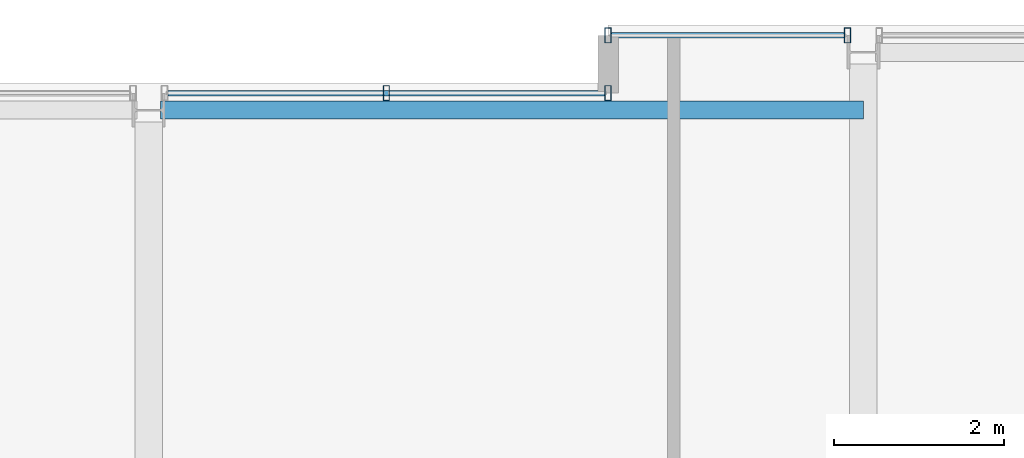
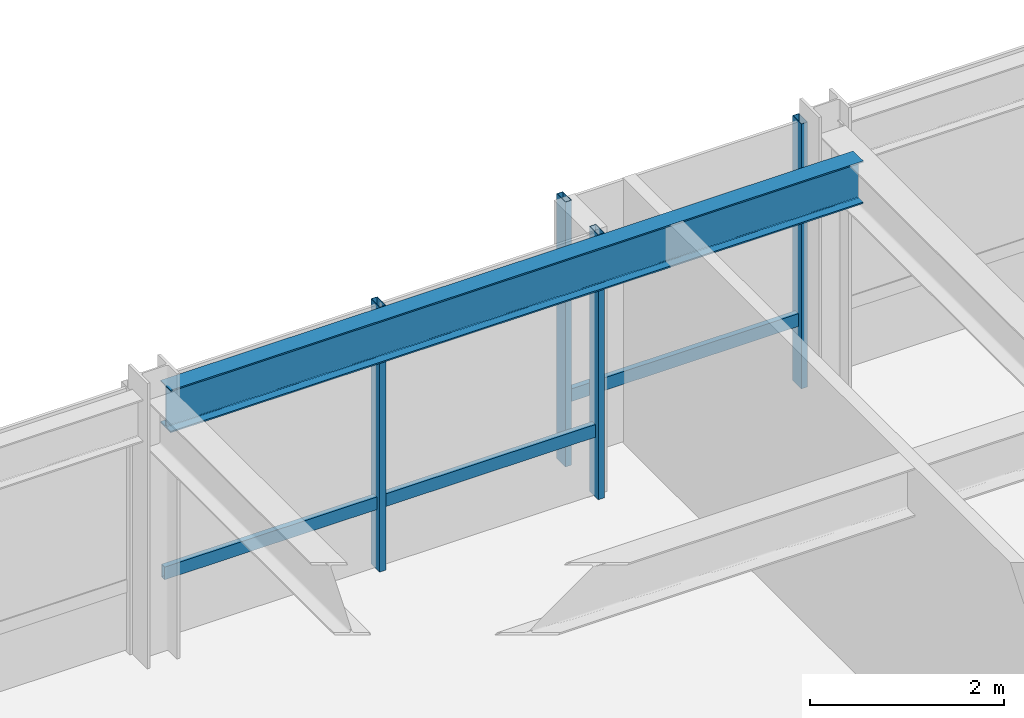
# One storey, part 21 of 31: 6 members, 1 beam, 2 elements without a shape of their own.
"""IFC4 building model written with IfcOpenShell, lengths in metres."""

import ifcopenshell
import ifcopenshell.guid

model = None  # the IFC model being written
_history = None  # IfcOwnerHistory: only IFC2X3 demands one
_inside = {}  # id of a spatial element -> (the spatial element, [elements in it])
_under = {}  # id of a project, library or spatial element -> (it, [spatial elements below it])
_declared = {}  # id of a project -> (the project, [libraries it declares])
_typed = {}  # id of a type object -> (the type object, [elements of that type])
_made_of = {}  # id of a material, layer set ... -> (it, [elements and type objects made of it])


def new_model(schema):
    """Start an empty IFC model of exactly this schema.

    Asked for "IFC4X3", IfcOpenShell would pick the latest addendum, in which some entities
    have other attributes; the version numbers below select the first issue.
    IFC2X3 requires an IfcOwnerHistory on every rooted entity: one is made here for all.
    """
    global model, _history
    if schema == "IFC4X3":
        model = ifcopenshell.file(schema_version=(4, 3, 0, 0))
    else:
        model = ifcopenshell.file(schema=schema)
    _inside.clear()
    _under.clear()
    _declared.clear()
    _typed.clear()
    _made_of.clear()
    _history = None
    if model.schema == "IFC2X3":
        org = make("IfcOrganization", Name="unknown")
        user = make(
            "IfcPersonAndOrganization",
            ThePerson=make("IfcPerson", FamilyName="unknown"),
            TheOrganization=org,
        )
        app = make(
            "IfcApplication",
            ApplicationDeveloper=org,
            Version="unknown",
            ApplicationFullName="unknown",
            ApplicationIdentifier="unknown",
        )
        _history = make(
            "IfcOwnerHistory",
            OwningUser=user,
            OwningApplication=app,
            ChangeAction="ADDED",
            CreationDate=0,
        )
    return model


def make(cls, **values):
    """One entity of the class cls with the attributes given. An attribute that is None is left unset."""
    return model.create_entity(
        cls, **{name: value for name, value in values.items() if value is not None}
    )


def rooted(cls, **values):
    """An entity with a GlobalId (a new one), such as an element, a storey or a relation."""
    return make(cls, GlobalId=ifcopenshell.guid.new(), OwnerHistory=_history, **values)


def si_unit(unit_type, name, prefix=None):
    """IfcSIUnit, for example si_unit("LENGTHUNIT", "METRE", prefix="MILLI")."""
    return make("IfcSIUnit", UnitType=unit_type, Prefix=prefix, Name=name)


def assignment(units):
    """IfcUnitAssignment: the units of a project."""
    return None if units is None else make("IfcUnitAssignment", Units=units)


def point(xyz):
    """IfcCartesianPoint."""
    return None if xyz is None else make("IfcCartesianPoint", Coordinates=xyz)


def direction(xyz):
    """IfcDirection."""
    return None if xyz is None else make("IfcDirection", DirectionRatios=xyz)


def frame(location, z_axis=None, x_axis=None):
    """IfcAxis2Placement3D, a coordinate frame: its origin and axes. An axis left out is left unset."""
    return make(
        "IfcAxis2Placement3D",
        Location=point(location),
        Axis=direction(z_axis),
        RefDirection=direction(x_axis),
    )


def frame_2d(location, x_axis=None):
    """IfcAxis2Placement2D, a coordinate frame in the plane: its origin and x axis."""
    return make(
        "IfcAxis2Placement2D", Location=point(location), RefDirection=direction(x_axis)
    )


def origin():
    """The frame at (0, 0, 0) with its axes left unset."""
    return frame((0.0, 0.0, 0.0))


def origin_2d():
    """The frame at (0, 0) in the plane with its x axis left unset."""
    return frame_2d((0.0, 0.0))


def place(relative_to, where):
    """IfcLocalPlacement: puts the frame where relative to a parent placement (None: the world)."""
    return make(
        "IfcLocalPlacement", PlacementRelTo=relative_to, RelativePlacement=where
    )


def context(
    kind, dimensions, precision=None, world=None, true_north=None, identifier=None
):
    """IfcGeometricRepresentationContext, for example the 3D "Model" context."""
    return make(
        "IfcGeometricRepresentationContext",
        ContextIdentifier=identifier,
        ContextType=kind,
        CoordinateSpaceDimension=dimensions,
        Precision=precision,
        WorldCoordinateSystem=world,
        TrueNorth=true_north,
    )


def subcontext(parent, identifier, kind, view, scale=None):
    """IfcGeometricRepresentationSubContext, for example "Body" below "Model"."""
    return make(
        "IfcGeometricRepresentationSubContext",
        ContextIdentifier=identifier,
        ContextType=kind,
        ParentContext=parent,
        TargetScale=scale,
        TargetView=view,
    )


def project(units=None, contexts=None):
    """IfcProject with its units and contexts."""
    return rooted(
        "IfcProject",
        Name="project",
        RepresentationContexts=contexts,
        UnitsInContext=assignment(units),
    )


def spatial(cls, under=None, at=None, **own):
    """A site, building, storey or space (cls), placed at a placement, below another one or the project."""
    s = rooted(cls, ObjectPlacement=at, **own)
    if under is not None:
        _under.setdefault(under.id(), (under, []))[1].append(s)
    return s


def profile(cls, at=None, kind="AREA", **sizes):
    """A parametric profile (cls). Its sizes go by their IFC names, for example OverallWidth=200.0."""
    return make(cls, ProfileType=kind, Position=at, **sizes)


def hollow_rectangle(**sizes):
    """IfcRectangleHollowProfileDef."""
    return profile("IfcRectangleHollowProfileDef", **sizes)


def i_section(**sizes):
    """IfcIShapeProfileDef."""
    return profile("IfcIShapeProfileDef", **sizes)


def extrude(swept, where, along, depth):
    """IfcExtrudedAreaSolid: the profile swept, set in the frame where, extruded along a direction by depth."""
    return make(
        "IfcExtrudedAreaSolid",
        SweptArea=swept,
        Position=where,
        ExtrudedDirection=direction(along),
        Depth=depth,
    )


def shape(context_of_items, identifier, shape_type, items):
    """IfcShapeRepresentation: the items that make up one representation, for example the "Body"."""
    return make(
        "IfcShapeRepresentation",
        ContextOfItems=context_of_items,
        RepresentationIdentifier=identifier,
        RepresentationType=shape_type,
        Items=items,
    )


def material(Name=None, Category=None):
    """IfcMaterial."""
    return make("IfcMaterial", Name=Name, Category=Category)


def layer(
    of_material, thickness, ventilated=None, Name=None, Category=None, Priority=None
):
    """IfcMaterialLayer: one layer of a wall or slab, of a material (None: an air gap)."""
    return make(
        "IfcMaterialLayer",
        Material=of_material,
        LayerThickness=thickness,
        IsVentilated=ventilated,
        Name=Name,
        Category=Category,
        Priority=Priority,
    )


def layer_set(layers, Name=None):
    """IfcMaterialLayerSet."""
    return make("IfcMaterialLayerSet", MaterialLayers=layers, LayerSetName=Name)


def material_profile(
    of_material, cross_section, Name=None, Category=None, Priority=None
):
    """IfcMaterialProfile: a cross section and its material."""
    return make(
        "IfcMaterialProfile",
        Name=Name,
        Material=of_material,
        Profile=cross_section,
        Priority=Priority,
        Category=Category,
    )


def profile_set(profiles, Name=None, composite=None):
    """IfcMaterialProfileSet."""
    return make(
        "IfcMaterialProfileSet",
        Name=Name,
        MaterialProfiles=profiles,
        CompositeProfile=composite,
    )


def made_of(thing, what):
    """Note that an element or type object is made of a material, layer set ...; save() writes the relation."""
    if what is not None:
        _made_of.setdefault(what.id(), (what, []))[1].append(thing)
    return thing


def type_object(cls, material=None, **own):
    """A type object (cls), such as IfcWallType, which elements share."""
    return made_of(rooted(cls, **own), material)


def element(
    cls,
    number,
    at=None,
    inside=None,
    cuts=None,
    type_object=None,
    material=None,
    context=None,
    identifier="Body",
    shape_type=None,
    held_by="IfcProductDefinitionShape",
    body=None,
    shapes=None,
    **own,
):
    """One element of the class cls, such as IfcWall. Its Tag is "e" and its number.

    at: its placement. inside: the storey or other place that contains it. cuts: it is an
    opening in that element (IfcRelVoidsElement). A single representation is given by context,
    identifier, shape_type and body (its items); several are given by shapes. held_by: the class
    of the entity that holds the representations. save() writes the other relations.
    """
    e = rooted(cls, Tag="e%d" % number, ObjectPlacement=at, **own)
    if body is not None:
        shapes = [shape(context, identifier, shape_type, body)]
    if shapes is not None:
        e.Representation = make(held_by, Representations=shapes)
    if inside is not None:
        _inside.setdefault(inside.id(), (inside, []))[1].append(e)
    if cuts is not None:
        rooted(
            "IfcRelVoidsElement", RelatingBuildingElement=cuts, RelatedOpeningElement=e
        )
    if type_object is not None:
        _typed.setdefault(type_object.id(), (type_object, []))[1].append(e)
    return made_of(e, material)


def aggregate(whole, parts):
    """IfcRelAggregates: a whole, such as a stair, and the parts it consists of."""
    return rooted("IfcRelAggregates", RelatingObject=whole, RelatedObjects=parts)


def save(model, path):
    """Write the relations noted so far, then the file.

    IfcRelAggregates (storeys below a building ...), IfcRelContainedInSpatialStructure (elements
    in a storey), IfcRelDefinesByType, IfcRelAssociatesMaterial and IfcRelDeclares: one each for
    every whole, place, type object, material and project.
    """
    for whole, parts in _under.values():
        aggregate(whole, parts)
    for where, things in _inside.values():
        rooted(
            "IfcRelContainedInSpatialStructure",
            RelatedElements=things,
            RelatingStructure=where,
        )
    for kind, things in _typed.values():
        rooted("IfcRelDefinesByType", RelatedObjects=things, RelatingType=kind)
    for what, things in _made_of.values():
        rooted("IfcRelAssociatesMaterial", RelatedObjects=things, RelatingMaterial=what)
    for by, libraries in _declared.values():
        rooted("IfcRelDeclares", RelatingContext=by, RelatedDefinitions=libraries)
    model.write(path)


model = new_model("IFC4")

# Units and contexts
model_context = context("Model", 3, precision=1e-05, world=origin(), true_north=direction((0.0, 1.0)))
body_context = subcontext(model_context, "Body", "Model", "MODEL_VIEW")
ifc_project = project(units=[si_unit("LENGTHUNIT", "METRE"), si_unit("AREAUNIT", "SQUARE_METRE"), si_unit("VOLUMEUNIT", "CUBIC_METRE"), si_unit("PLANEANGLEUNIT", "RADIAN"), si_unit("MASSUNIT", "GRAM", prefix="KILO")], contexts=[model_context])

# Site, building, storey
site_placement = place(None, origin())
site = spatial("IfcSite", under=ifc_project, at=site_placement, CompositionType="ELEMENT")
building_placement = place(site_placement, origin())
building = spatial("IfcBuilding", under=site, at=building_placement, Name="Drelvath Grand Hotel", CompositionType="ELEMENT")
storey_placement = place(building_placement, frame((0.0, 0.0, 230.300048828125)))
storey = spatial("IfcBuildingStorey", under=building, at=storey_placement, Name="L60", CompositionType="ELEMENT", Elevation=230.300048828125)

# Curtain wall, member
ifc_material_1 = material(Name="Platinum-Mist Anodised Aluminium Frame", Category="aluminium")
ifc_layer = layer(ifc_material_1, 0.199951171875)
ifc_layer_set = layer_set([ifc_layer], Name="Platinum-Mist Anodised Aluminium Frame")
curtain_wall_type = type_object("IfcCurtainWallType", Name="Stick Curtain Wall CW-05 Platinum Mist High-Rise", PredefinedType="NOTDEFINED", material=ifc_layer_set)
curtain_wall_1_placement = place(storey_placement, origin())
curtain_wall_1 = element("IfcCurtainWall", 1, at=curtain_wall_1_placement, inside=storey, type_object=curtain_wall_type, Name="L60 CW-05 Curtain Wall CW05-L60-NM2", PredefinedType="NOTDEFINED")
ifc_material_profile_1 = material_profile(ifc_material_1, hollow_rectangle(XDim=0.06494140625, YDim=0.159912109375, WallThickness=0.00390625, at=origin_2d()), Name="HSS160X65X4")
ifc_profile_set_1 = profile_set([ifc_material_profile_1], Name="Platinum-Mist Anodised Aluminium Frame")
member_type_1 = type_object("IfcMemberType", Name="Curtain Wall Horizontal Transom CW-05 HSS160X65X4", PredefinedType="USERDEFINED", material=ifc_profile_set_1)
member_1_placement = place(storey_placement, frame((0.225341796875, 48.39990234375, 0.8349609375), z_axis=(1.0, 0.0, 0.0), x_axis=(0.0, 1.0, 0.0)))
member_1 = element("IfcMember", 2, at=member_1_placement, type_object=member_type_1, Name="CW05-L60-NM2 Sill Transom", ObjectType="TRANSOM", PredefinedType="USERDEFINED", context=body_context, shape_type="SweptSolid", body=[
    extrude(hollow_rectangle(XDim=0.06494140625, YDim=0.159912109375, WallThickness=0.00390625, at=origin_2d()), origin(), (0.0, 0.0, 1.0), 5.134765625),
])

curtain_wall_2_placement = place(storey_placement, origin())
curtain_wall_2 = element("IfcCurtainWall", 3, at=curtain_wall_2_placement, inside=storey, type_object=curtain_wall_type, Name="L60 CW-05 Curtain Wall CW05-L60-NE1", PredefinedType="NOTDEFINED")
member_2_placement = place(storey_placement, frame((5.43994140625, 49.080078125, 0.8349609375), z_axis=(1.0, 0.0, 0.0), x_axis=(0.0, 1.0, 0.0)))
member_2 = element("IfcMember", 4, at=member_2_placement, type_object=member_type_1, Name="CW05-L60-NE1 Sill Transom", ObjectType="TRANSOM", PredefinedType="USERDEFINED", context=body_context, shape_type="SweptSolid", body=[
    extrude(hollow_rectangle(XDim=0.06494140625, YDim=0.159912109375, WallThickness=0.00390625, at=origin_2d()), origin(), (0.0, 0.0, 1.0), 2.73486328125),
])

# Member
ifc_material_profile_2 = material_profile(ifc_material_1, hollow_rectangle(XDim=0.074951171875, YDim=0.179931640625, WallThickness=0.0048828125, at=origin_2d()), Name="HSS180X75X5")
ifc_profile_set_2 = profile_set([ifc_material_profile_2], Name="Platinum-Mist Anodised Aluminium Frame")
member_type_2 = type_object("IfcMemberType", Name="Curtain Wall Vertical Mullion CW-05 HSS180X75X5", PredefinedType="MULLION", material=ifc_profile_set_2)
member_3_placement = place(storey_placement, frame((2.792724609375, 48.39990234375, 0.0), z_axis=(0.0, 0.0, 1.0), x_axis=(1.0, 0.0, 0.0)))
member_3 = element("IfcMember", 5, at=member_3_placement, type_object=member_type_2, Name="CW05-L60-NM2 Mullion 2", PredefinedType="MULLION", context=body_context, shape_type="SweptSolid", body=[
    extrude(hollow_rectangle(XDim=0.074951171875, YDim=0.179931640625, WallThickness=0.0048828125, at=origin_2d()), origin(), (0.0, 0.0, 1.0), 3.33984375),
])

member_4_placement = place(storey_placement, frame((5.39990234375, 48.39990234375, 0.0), z_axis=(0.0, 0.0, 1.0), x_axis=(1.0, 0.0, 0.0)))
member_4 = element("IfcMember", 6, at=member_4_placement, type_object=member_type_2, Name="CW05-L60-NM2 Mullion 3", PredefinedType="MULLION", context=body_context, shape_type="SweptSolid", body=[
    extrude(hollow_rectangle(XDim=0.074951171875, YDim=0.179931640625, WallThickness=0.0048828125, at=origin_2d()), origin(), (0.0, 0.0, 1.0), 3.33984375),
])

aggregate(curtain_wall_1, [member_3, member_4, member_1])

member_5_placement = place(storey_placement, frame((5.39990234375, 49.080078125, 0.0), z_axis=(0.0, 0.0, 1.0), x_axis=(1.0, 0.0, 0.0)))
member_5 = element("IfcMember", 7, at=member_5_placement, type_object=member_type_2, Name="CW05-L60-NE1 Mullion 1", PredefinedType="MULLION", context=body_context, shape_type="SweptSolid", body=[
    extrude(hollow_rectangle(XDim=0.074951171875, YDim=0.179931640625, WallThickness=0.0048828125, at=origin_2d()), origin(), (0.0, 0.0, 1.0), 3.33984375),
])

member_6_placement = place(storey_placement, frame((8.214599609375, 49.080078125, 0.0), z_axis=(0.0, 0.0, 1.0), x_axis=(1.0, 0.0, 0.0)))
member_6 = element("IfcMember", 8, at=member_6_placement, type_object=member_type_2, Name="CW05-L60-NE1 Mullion 2", PredefinedType="MULLION", context=body_context, shape_type="SweptSolid", body=[
    extrude(hollow_rectangle(XDim=0.074951171875, YDim=0.179931640625, WallThickness=0.0048828125, at=origin_2d()), origin(), (0.0, 0.0, 1.0), 3.33984375),
])

aggregate(curtain_wall_2, [member_5, member_6, member_2])

# Beam
ifc_material_2 = material(Name="Steel ASTM A992 Gr 50", Category="steel")
ifc_material_profile_3 = material_profile(ifc_material_2, i_section(OverallWidth=0.210205078125, OverallDepth=0.53662109375, WebThickness=0.010986328125, FlangeThickness=0.017333984375, FilletRadius=0.01806640625, at=origin_2d()), Name="W21X68")
ifc_profile_set_3 = profile_set([ifc_material_profile_3], Name="Steel ASTM A992 Gr 50")
beam_type = type_object("IfcBeamType", Name="Perimeter Spandrel Beam W21X68", PredefinedType="SPANDREL", material=ifc_profile_set_3)
beam_placement = place(storey_placement, frame((0.139892578125, 48.199951171875, 3.071533203125), z_axis=(1.0, 0.0, 0.0), x_axis=(0.0, 1.0, 0.0)))
element("IfcBeam", 9, at=beam_placement, inside=storey, type_object=beam_type, Name="L60 Spandrel North Mid E", PredefinedType="SPANDREL", context=body_context, shape_type="SweptSolid", body=[
    extrude(i_section(OverallWidth=0.210205078125, OverallDepth=0.53662109375, WebThickness=0.010986328125, FlangeThickness=0.017333984375, FilletRadius=0.01806640625, at=origin_2d()), origin(), (0.0, 0.0, 1.0), 8.260009765625),
])

save(model, "model.ifc")
